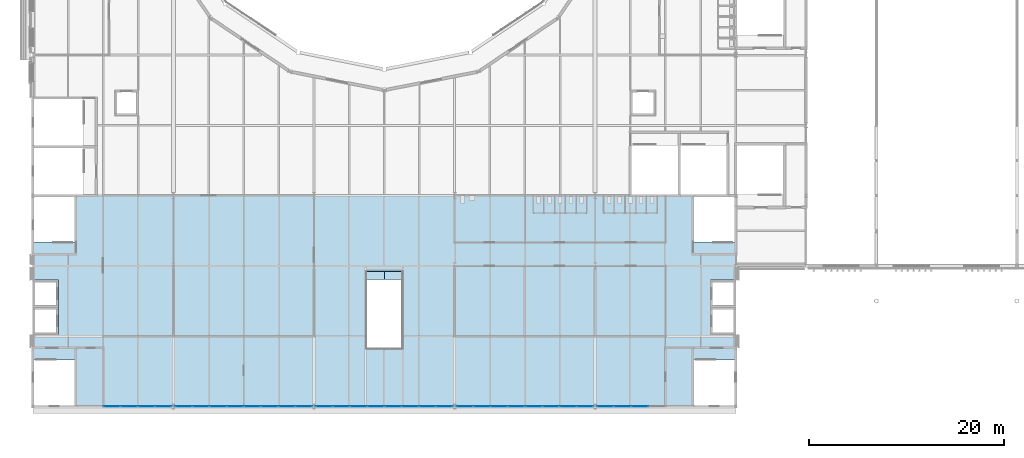
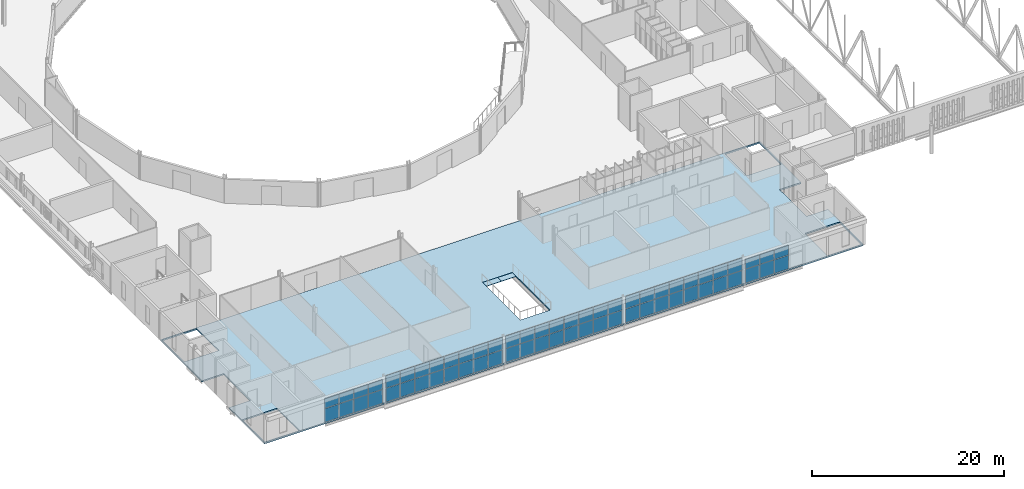
# One storey, part 84 of 142: 64 plates, 1 slab, 8 elements without a shape of their own.
"""IFC4 building model written with IfcOpenShell, lengths in metres."""

from ifc_helpers import new_model, si_unit, direction, frame, origin, origin_2d, place, context, subcontext, project, spatial, polyline, rectangle, outline, extrude, material, layer, layer_set, type_object, element, aggregate, save


model = new_model("IFC4")

# Units and contexts
model_context = context("Model", 3, precision=1e-05, world=origin(), true_north=direction((0.0, 1.0)))
body_context = subcontext(model_context, "Body", "Model", "MODEL_VIEW")
ifc_project = project(units=[si_unit("LENGTHUNIT", "METRE"), si_unit("AREAUNIT", "SQUARE_METRE"), si_unit("VOLUMEUNIT", "CUBIC_METRE"), si_unit("PLANEANGLEUNIT", "RADIAN"), si_unit("MASSUNIT", "GRAM", prefix="KILO")], contexts=[model_context])

# Site, building, storey
site_placement = place(None, origin())
site = spatial("IfcSite", under=ifc_project, at=site_placement, CompositionType="ELEMENT")
building_placement = place(site_placement, origin())
building = spatial("IfcBuilding", under=site, at=building_placement, Name="Kupolbacken Congress Centre", CompositionType="ELEMENT")
storey_placement = place(building_placement, frame((0.0, 0.0, 14.39990234375)))
storey = spatial("IfcBuildingStorey", under=building, at=storey_placement, Name="L04", CompositionType="ELEMENT", Elevation=14.39990234375)

# Plates
ifc_material_1 = material(Name="Steel S355", Category="steel")
ifc_layer_1 = layer(ifc_material_1, 0.0400390625)
ifc_layer_set_1 = layer_set([ifc_layer_1], Name="Steel S355")
plate_type_1 = type_object("IfcPlateType", Name="EP1 escalator comb plate 40", PredefinedType="SHEET", material=ifc_layer_set_1)
plate_1_placement = place(storey_placement, frame((0.0, 0.0, -0.039794921875)))
element("IfcPlate", 1, at=plate_1_placement, inside=storey, type_object=plate_type_1, Name="Escalator comb plate", PredefinedType="SHEET", context=body_context, shape_type="SweptSolid", body=[
    extrude(outline(polyline([(41.39990234375, 41.817626953125), (43.199951171875, 41.817626953125), (43.199951171875, 42.61767578125), (41.39990234375, 42.61767578125), (41.39990234375, 41.817626953125)])), origin(), (0.0, 0.0, 1.0), 0.039794921875),
])
plate_2_placement = place(storey_placement, frame((0.0, 0.0, -0.039794921875)))
element("IfcPlate", 2, at=plate_2_placement, inside=storey, type_object=plate_type_1, Name="Escalator comb plate", PredefinedType="SHEET", context=body_context, shape_type="SweptSolid", body=[
    extrude(outline(polyline([(43.199951171875, 41.817626953125), (45.0, 41.817626953125), (45.0, 42.61767578125), (43.199951171875, 42.61767578125), (43.199951171875, 41.817626953125)])), origin(), (0.0, 0.0, 1.0), 0.039794921875),
])

# Slab
ifc_material_2 = material(Name="Concrete C30/37", Category="concrete")
ifc_layer_2 = layer(ifc_material_2, 0.1201171875)
ifc_material_3 = material(Name="Steel S350 profiled deck", Category="steel")
ifc_layer_3 = layer(ifc_material_3, 0.06005859375)
ifc_layer_set_2 = layer_set([ifc_layer_2, ifc_layer_3], Name="Concrete C30/37 / Steel S350 profiled deck")
slab_type = type_object("IfcSlabType", Name="FS3 slab 180", PredefinedType="FLOOR", material=ifc_layer_set_2)
slab_placement = place(storey_placement, frame((0.0, 0.0, -0.179931640625)))
element("IfcSlab", 3, at=slab_placement, inside=storey, type_object=slab_type, Name="S/floor/F/L04/slab/slab", PredefinedType="FLOOR", context=body_context, shape_type="SweptSolid", body=[
    extrude(outline(polyline([(79.199462890625, 28.800537109375), (79.199462890625, 36.1494140625), (76.599609375, 36.1494140625), (76.599609375, 41.75048828125), (79.199462890625, 41.75048828125), (79.199462890625, 50.3994140625), (7.200439453125, 50.3994140625), (7.200439453125, 41.75048828125), (9.800537109375, 41.75048828125), (9.800537109375, 36.1494140625), (7.200439453125, 36.1494140625), (7.200439453125, 28.800537109375), (79.199462890625, 28.800537109375)]), holes=[polyline([(79.075439453125, 33.54052734375), (79.075439453125, 28.924560546875), (74.924560546875, 28.924560546875), (74.924560546875, 33.54052734375), (79.075439453125, 33.54052734375)]), polyline([(79.075439453125, 45.659423828125), (74.924560546875, 45.659423828125), (74.924560546875, 50.275390625), (79.075439453125, 50.275390625), (79.075439453125, 45.659423828125)]), polyline([(45.00048828125, 34.76171875), (41.3994140625, 34.76171875), (41.3994140625, 42.63818359375), (45.00048828125, 42.63818359375), (45.00048828125, 34.76171875)]), polyline([(7.324462890625, 33.54052734375), (11.4755859375, 33.54052734375), (11.4755859375, 28.924560546875), (7.324462890625, 28.924560546875), (7.324462890625, 33.54052734375)]), polyline([(11.4755859375, 45.659423828125), (7.324462890625, 45.659423828125), (7.324462890625, 50.275390625), (11.4755859375, 50.275390625), (11.4755859375, 45.659423828125)])]), origin(), (0.0, 0.0, 1.0), 0.179931640625),
])

# Curtain wall, plates
ifc_material_4 = material(Name="Aluminium mullion-transom frame with glass", Category="aluminium")
curtain_wall_type = type_object("IfcCurtainWallType", Name="CW1 curtain wall 7200x3600", PredefinedType="NOTDEFINED", material=ifc_material_4)
curtain_wall_1_placement = place(storey_placement, origin())
curtain_wall_1 = element("IfcCurtainWall", 4, at=curtain_wall_1_placement, inside=storey, type_object=curtain_wall_type, Name="E/F/S/L04/413", PredefinedType="NOTDEFINED")
ifc_material_5 = material(Name="Glass", Category="glass")
ifc_layer_4 = layer(ifc_material_5, 0.035888671875)
ifc_layer_set_3 = layer_set([ifc_layer_4], Name="Glass")
plate_type_2 = type_object("IfcPlateType", Name="GL2 glass panel 36", PredefinedType="CURTAIN_PANEL", material=ifc_layer_set_3)
plate_3_placement = place(storey_placement, frame((15.293701171875, 28.800048828125, 0.050048828125), z_axis=(0.0, 0.0, 1.0), x_axis=(1.0, 0.0, 0.0)))
plate_3 = element("IfcPlate", 5, at=plate_3_placement, type_object=plate_type_2, Name="CW1 panel 1.1", PredefinedType="CURTAIN_PANEL", context=body_context, shape_type="SweptSolid", body=[
    extrude(rectangle(XDim=1.6875, YDim=0.035888671875, at=origin_2d()), origin(), (0.0, 0.0, 1.0), 1.72509765625),
])
plate_4_placement = place(storey_placement, frame((15.293701171875, 28.800048828125, 1.824951171875), z_axis=(0.0, 0.0, 1.0), x_axis=(1.0, 0.0, 0.0)))
plate_4 = element("IfcPlate", 6, at=plate_4_placement, type_object=plate_type_2, Name="CW1 panel 1.2", PredefinedType="CURTAIN_PANEL", context=body_context, shape_type="SweptSolid", body=[
    extrude(rectangle(XDim=1.6875, YDim=0.035888671875, at=origin_2d()), origin(), (0.0, 0.0, 1.0), 1.2451171875),
])
plate_5_placement = place(storey_placement, frame((17.043701171875, 28.800048828125, 0.050048828125), z_axis=(0.0, 0.0, 1.0), x_axis=(1.0, 0.0, 0.0)))
plate_5 = element("IfcPlate", 7, at=plate_5_placement, type_object=plate_type_2, Name="CW1 panel 2.1", PredefinedType="CURTAIN_PANEL", context=body_context, shape_type="SweptSolid", body=[
    extrude(rectangle(XDim=1.71240234375, YDim=0.035888671875, at=origin_2d()), origin(), (0.0, 0.0, 1.0), 1.72509765625),
])
plate_6_placement = place(storey_placement, frame((17.043701171875, 28.800048828125, 1.824951171875), z_axis=(0.0, 0.0, 1.0), x_axis=(1.0, 0.0, 0.0)))
plate_6 = element("IfcPlate", 8, at=plate_6_placement, type_object=plate_type_2, Name="CW1 panel 2.2", PredefinedType="CURTAIN_PANEL", context=body_context, shape_type="SweptSolid", body=[
    extrude(rectangle(XDim=1.71240234375, YDim=0.035888671875, at=origin_2d()), origin(), (0.0, 0.0, 1.0), 1.2451171875),
])
plate_7_placement = place(storey_placement, frame((18.80615234375, 28.800048828125, 0.050048828125), z_axis=(0.0, 0.0, 1.0), x_axis=(1.0, 0.0, 0.0)))
plate_7 = element("IfcPlate", 9, at=plate_7_placement, type_object=plate_type_2, Name="CW1 panel 3.1", PredefinedType="CURTAIN_PANEL", context=body_context, shape_type="SweptSolid", body=[
    extrude(rectangle(XDim=1.71240234375, YDim=0.035888671875, at=origin_2d()), origin(), (0.0, 0.0, 1.0), 1.72509765625),
])
plate_8_placement = place(storey_placement, frame((18.80615234375, 28.800048828125, 1.824951171875), z_axis=(0.0, 0.0, 1.0), x_axis=(1.0, 0.0, 0.0)))
plate_8 = element("IfcPlate", 10, at=plate_8_placement, type_object=plate_type_2, Name="CW1 panel 3.2", PredefinedType="CURTAIN_PANEL", context=body_context, shape_type="SweptSolid", body=[
    extrude(rectangle(XDim=1.71240234375, YDim=0.035888671875, at=origin_2d()), origin(), (0.0, 0.0, 1.0), 1.2451171875),
])
plate_9_placement = place(storey_placement, frame((20.55615234375, 28.800048828125, 0.050048828125), z_axis=(0.0, 0.0, 1.0), x_axis=(1.0, 0.0, 0.0)))
plate_9 = element("IfcPlate", 11, at=plate_9_placement, type_object=plate_type_2, Name="CW1 panel 4.1", PredefinedType="CURTAIN_PANEL", context=body_context, shape_type="SweptSolid", body=[
    extrude(rectangle(XDim=1.6875, YDim=0.035888671875, at=origin_2d()), origin(), (0.0, 0.0, 1.0), 1.72509765625),
])
plate_10_placement = place(storey_placement, frame((20.55615234375, 28.800048828125, 1.824951171875), z_axis=(0.0, 0.0, 1.0), x_axis=(1.0, 0.0, 0.0)))
plate_10 = element("IfcPlate", 12, at=plate_10_placement, type_object=plate_type_2, Name="CW1 panel 4.2", PredefinedType="CURTAIN_PANEL", context=body_context, shape_type="SweptSolid", body=[
    extrude(rectangle(XDim=1.6875, YDim=0.035888671875, at=origin_2d()), origin(), (0.0, 0.0, 1.0), 1.2451171875),
])
aggregate(curtain_wall_1, [plate_3, plate_4, plate_5, plate_6, plate_7, plate_8, plate_9, plate_10])

curtain_wall_2_placement = place(storey_placement, origin())
curtain_wall_2 = element("IfcCurtainWall", 13, at=curtain_wall_2_placement, inside=storey, type_object=curtain_wall_type, Name="E/F/S/L04/414", PredefinedType="NOTDEFINED")
plate_11_placement = place(storey_placement, frame((22.643798828125, 28.800048828125, 0.050048828125), z_axis=(0.0, 0.0, 1.0), x_axis=(1.0, 0.0, 0.0)))
plate_11 = element("IfcPlate", 14, at=plate_11_placement, type_object=plate_type_2, Name="CW1 panel 1.1", PredefinedType="CURTAIN_PANEL", context=body_context, shape_type="SweptSolid", body=[
    extrude(rectangle(XDim=1.6875, YDim=0.035888671875, at=origin_2d()), origin(), (0.0, 0.0, 1.0), 1.72509765625),
])
plate_12_placement = place(storey_placement, frame((22.643798828125, 28.800048828125, 1.8251953125), z_axis=(0.0, 0.0, 1.0), x_axis=(1.0, 0.0, 0.0)))
plate_12 = element("IfcPlate", 15, at=plate_12_placement, type_object=plate_type_2, Name="CW1 panel 1.2", PredefinedType="CURTAIN_PANEL", context=body_context, shape_type="SweptSolid", body=[
    extrude(rectangle(XDim=1.6875, YDim=0.035888671875, at=origin_2d()), origin(), (0.0, 0.0, 1.0), 1.544921875),
])
plate_13_placement = place(storey_placement, frame((24.393798828125, 28.800048828125, 0.050048828125), z_axis=(0.0, 0.0, 1.0), x_axis=(1.0, 0.0, 0.0)))
plate_13 = element("IfcPlate", 16, at=plate_13_placement, type_object=plate_type_2, Name="CW1 panel 2.1", PredefinedType="CURTAIN_PANEL", context=body_context, shape_type="SweptSolid", body=[
    extrude(rectangle(XDim=1.71240234375, YDim=0.035888671875, at=origin_2d()), origin(), (0.0, 0.0, 1.0), 1.72509765625),
])
plate_14_placement = place(storey_placement, frame((24.393798828125, 28.800048828125, 1.8251953125), z_axis=(0.0, 0.0, 1.0), x_axis=(1.0, 0.0, 0.0)))
plate_14 = element("IfcPlate", 17, at=plate_14_placement, type_object=plate_type_2, Name="CW1 panel 2.2", PredefinedType="CURTAIN_PANEL", context=body_context, shape_type="SweptSolid", body=[
    extrude(rectangle(XDim=1.71240234375, YDim=0.035888671875, at=origin_2d()), origin(), (0.0, 0.0, 1.0), 1.544921875),
])
plate_15_placement = place(storey_placement, frame((26.15625, 28.800048828125, 0.050048828125), z_axis=(0.0, 0.0, 1.0), x_axis=(1.0, 0.0, 0.0)))
plate_15 = element("IfcPlate", 18, at=plate_15_placement, type_object=plate_type_2, Name="CW1 panel 3.1", PredefinedType="CURTAIN_PANEL", context=body_context, shape_type="SweptSolid", body=[
    extrude(rectangle(XDim=1.71240234375, YDim=0.035888671875, at=origin_2d()), origin(), (0.0, 0.0, 1.0), 1.72509765625),
])
plate_16_placement = place(storey_placement, frame((26.15625, 28.800048828125, 1.8251953125), z_axis=(0.0, 0.0, 1.0), x_axis=(1.0, 0.0, 0.0)))
plate_16 = element("IfcPlate", 19, at=plate_16_placement, type_object=plate_type_2, Name="CW1 panel 3.2", PredefinedType="CURTAIN_PANEL", context=body_context, shape_type="SweptSolid", body=[
    extrude(rectangle(XDim=1.71240234375, YDim=0.035888671875, at=origin_2d()), origin(), (0.0, 0.0, 1.0), 1.544921875),
])
plate_17_placement = place(storey_placement, frame((27.90625, 28.800048828125, 0.050048828125), z_axis=(0.0, 0.0, 1.0), x_axis=(1.0, 0.0, 0.0)))
plate_17 = element("IfcPlate", 20, at=plate_17_placement, type_object=plate_type_2, Name="CW1 panel 4.1", PredefinedType="CURTAIN_PANEL", context=body_context, shape_type="SweptSolid", body=[
    extrude(rectangle(XDim=1.6875, YDim=0.035888671875, at=origin_2d()), origin(), (0.0, 0.0, 1.0), 1.72509765625),
])
plate_18_placement = place(storey_placement, frame((27.90625, 28.800048828125, 1.8251953125), z_axis=(0.0, 0.0, 1.0), x_axis=(1.0, 0.0, 0.0)))
plate_18 = element("IfcPlate", 21, at=plate_18_placement, type_object=plate_type_2, Name="CW1 panel 4.2", PredefinedType="CURTAIN_PANEL", context=body_context, shape_type="SweptSolid", body=[
    extrude(rectangle(XDim=1.6875, YDim=0.035888671875, at=origin_2d()), origin(), (0.0, 0.0, 1.0), 1.544921875),
])
aggregate(curtain_wall_2, [plate_11, plate_12, plate_13, plate_14, plate_15, plate_16, plate_17, plate_18])

curtain_wall_3_placement = place(storey_placement, origin())
curtain_wall_3 = element("IfcCurtainWall", 22, at=curtain_wall_3_placement, inside=storey, type_object=curtain_wall_type, Name="E/F/S/L04/415", PredefinedType="NOTDEFINED")
plate_19_placement = place(storey_placement, frame((29.69384765625, 28.800048828125, 0.050048828125), z_axis=(0.0, 0.0, 1.0), x_axis=(1.0, 0.0, 0.0)))
plate_19 = element("IfcPlate", 23, at=plate_19_placement, type_object=plate_type_2, Name="CW1 panel 1.1", PredefinedType="CURTAIN_PANEL", context=body_context, shape_type="SweptSolid", body=[
    extrude(rectangle(XDim=1.6875, YDim=0.035888671875, at=origin_2d()), origin(), (0.0, 0.0, 1.0), 1.72509765625),
])
plate_20_placement = place(storey_placement, frame((29.69384765625, 28.800048828125, 1.8251953125), z_axis=(0.0, 0.0, 1.0), x_axis=(1.0, 0.0, 0.0)))
plate_20 = element("IfcPlate", 24, at=plate_20_placement, type_object=plate_type_2, Name="CW1 panel 1.2", PredefinedType="CURTAIN_PANEL", context=body_context, shape_type="SweptSolid", body=[
    extrude(rectangle(XDim=1.6875, YDim=0.035888671875, at=origin_2d()), origin(), (0.0, 0.0, 1.0), 1.544921875),
])
plate_21_placement = place(storey_placement, frame((31.44384765625, 28.800048828125, 0.050048828125), z_axis=(0.0, 0.0, 1.0), x_axis=(1.0, 0.0, 0.0)))
plate_21 = element("IfcPlate", 25, at=plate_21_placement, type_object=plate_type_2, Name="CW1 panel 2.1", PredefinedType="CURTAIN_PANEL", context=body_context, shape_type="SweptSolid", body=[
    extrude(rectangle(XDim=1.71240234375, YDim=0.035888671875, at=origin_2d()), origin(), (0.0, 0.0, 1.0), 1.72509765625),
])
plate_22_placement = place(storey_placement, frame((31.44384765625, 28.800048828125, 1.8251953125), z_axis=(0.0, 0.0, 1.0), x_axis=(1.0, 0.0, 0.0)))
plate_22 = element("IfcPlate", 26, at=plate_22_placement, type_object=plate_type_2, Name="CW1 panel 2.2", PredefinedType="CURTAIN_PANEL", context=body_context, shape_type="SweptSolid", body=[
    extrude(rectangle(XDim=1.71240234375, YDim=0.035888671875, at=origin_2d()), origin(), (0.0, 0.0, 1.0), 1.544921875),
])
plate_23_placement = place(storey_placement, frame((33.206298828125, 28.800048828125, 0.050048828125), z_axis=(0.0, 0.0, 1.0), x_axis=(1.0, 0.0, 0.0)))
plate_23 = element("IfcPlate", 27, at=plate_23_placement, type_object=plate_type_2, Name="CW1 panel 3.1", PredefinedType="CURTAIN_PANEL", context=body_context, shape_type="SweptSolid", body=[
    extrude(rectangle(XDim=1.71240234375, YDim=0.035888671875, at=origin_2d()), origin(), (0.0, 0.0, 1.0), 1.72509765625),
])
plate_24_placement = place(storey_placement, frame((33.206298828125, 28.800048828125, 1.8251953125), z_axis=(0.0, 0.0, 1.0), x_axis=(1.0, 0.0, 0.0)))
plate_24 = element("IfcPlate", 28, at=plate_24_placement, type_object=plate_type_2, Name="CW1 panel 3.2", PredefinedType="CURTAIN_PANEL", context=body_context, shape_type="SweptSolid", body=[
    extrude(rectangle(XDim=1.71240234375, YDim=0.035888671875, at=origin_2d()), origin(), (0.0, 0.0, 1.0), 1.544921875),
])
plate_25_placement = place(storey_placement, frame((34.956298828125, 28.800048828125, 0.050048828125), z_axis=(0.0, 0.0, 1.0), x_axis=(1.0, 0.0, 0.0)))
plate_25 = element("IfcPlate", 29, at=plate_25_placement, type_object=plate_type_2, Name="CW1 panel 4.1", PredefinedType="CURTAIN_PANEL", context=body_context, shape_type="SweptSolid", body=[
    extrude(rectangle(XDim=1.6875, YDim=0.035888671875, at=origin_2d()), origin(), (0.0, 0.0, 1.0), 1.72509765625),
])
plate_26_placement = place(storey_placement, frame((34.956298828125, 28.800048828125, 1.8251953125), z_axis=(0.0, 0.0, 1.0), x_axis=(1.0, 0.0, 0.0)))
plate_26 = element("IfcPlate", 30, at=plate_26_placement, type_object=plate_type_2, Name="CW1 panel 4.2", PredefinedType="CURTAIN_PANEL", context=body_context, shape_type="SweptSolid", body=[
    extrude(rectangle(XDim=1.6875, YDim=0.035888671875, at=origin_2d()), origin(), (0.0, 0.0, 1.0), 1.544921875),
])
aggregate(curtain_wall_3, [plate_19, plate_20, plate_21, plate_22, plate_23, plate_24, plate_25, plate_26])

curtain_wall_4_placement = place(storey_placement, origin())
curtain_wall_4 = element("IfcCurtainWall", 31, at=curtain_wall_4_placement, inside=storey, type_object=curtain_wall_type, Name="E/F/S/L04/416", PredefinedType="NOTDEFINED")
plate_27_placement = place(storey_placement, frame((37.043701171875, 28.800048828125, 0.050048828125), z_axis=(0.0, 0.0, 1.0), x_axis=(1.0, 0.0, 0.0)))
plate_27 = element("IfcPlate", 32, at=plate_27_placement, type_object=plate_type_2, Name="CW1 panel 1.1", PredefinedType="CURTAIN_PANEL", context=body_context, shape_type="SweptSolid", body=[
    extrude(rectangle(XDim=1.6875, YDim=0.035888671875, at=origin_2d()), origin(), (0.0, 0.0, 1.0), 1.72509765625),
])
plate_28_placement = place(storey_placement, frame((37.043701171875, 28.800048828125, 1.8251953125), z_axis=(0.0, 0.0, 1.0), x_axis=(1.0, 0.0, 0.0)))
plate_28 = element("IfcPlate", 33, at=plate_28_placement, type_object=plate_type_2, Name="CW1 panel 1.2", PredefinedType="CURTAIN_PANEL", context=body_context, shape_type="SweptSolid", body=[
    extrude(rectangle(XDim=1.6875, YDim=0.035888671875, at=origin_2d()), origin(), (0.0, 0.0, 1.0), 1.544921875),
])
plate_29_placement = place(storey_placement, frame((38.793701171875, 28.800048828125, 0.050048828125), z_axis=(0.0, 0.0, 1.0), x_axis=(1.0, 0.0, 0.0)))
plate_29 = element("IfcPlate", 34, at=plate_29_placement, type_object=plate_type_2, Name="CW1 panel 2.1", PredefinedType="CURTAIN_PANEL", context=body_context, shape_type="SweptSolid", body=[
    extrude(rectangle(XDim=1.71240234375, YDim=0.035888671875, at=origin_2d()), origin(), (0.0, 0.0, 1.0), 1.72509765625),
])
plate_30_placement = place(storey_placement, frame((38.793701171875, 28.800048828125, 1.8251953125), z_axis=(0.0, 0.0, 1.0), x_axis=(1.0, 0.0, 0.0)))
plate_30 = element("IfcPlate", 35, at=plate_30_placement, type_object=plate_type_2, Name="CW1 panel 2.2", PredefinedType="CURTAIN_PANEL", context=body_context, shape_type="SweptSolid", body=[
    extrude(rectangle(XDim=1.71240234375, YDim=0.035888671875, at=origin_2d()), origin(), (0.0, 0.0, 1.0), 1.544921875),
])
plate_31_placement = place(storey_placement, frame((40.55615234375, 28.800048828125, 0.050048828125), z_axis=(0.0, 0.0, 1.0), x_axis=(1.0, 0.0, 0.0)))
plate_31 = element("IfcPlate", 36, at=plate_31_placement, type_object=plate_type_2, Name="CW1 panel 3.1", PredefinedType="CURTAIN_PANEL", context=body_context, shape_type="SweptSolid", body=[
    extrude(rectangle(XDim=1.71240234375, YDim=0.035888671875, at=origin_2d()), origin(), (0.0, 0.0, 1.0), 1.72509765625),
])
plate_32_placement = place(storey_placement, frame((40.55615234375, 28.800048828125, 1.8251953125), z_axis=(0.0, 0.0, 1.0), x_axis=(1.0, 0.0, 0.0)))
plate_32 = element("IfcPlate", 37, at=plate_32_placement, type_object=plate_type_2, Name="CW1 panel 3.2", PredefinedType="CURTAIN_PANEL", context=body_context, shape_type="SweptSolid", body=[
    extrude(rectangle(XDim=1.71240234375, YDim=0.035888671875, at=origin_2d()), origin(), (0.0, 0.0, 1.0), 1.544921875),
])
plate_33_placement = place(storey_placement, frame((42.30615234375, 28.800048828125, 0.050048828125), z_axis=(0.0, 0.0, 1.0), x_axis=(1.0, 0.0, 0.0)))
plate_33 = element("IfcPlate", 38, at=plate_33_placement, type_object=plate_type_2, Name="CW1 panel 4.1", PredefinedType="CURTAIN_PANEL", context=body_context, shape_type="SweptSolid", body=[
    extrude(rectangle(XDim=1.6875, YDim=0.035888671875, at=origin_2d()), origin(), (0.0, 0.0, 1.0), 1.72509765625),
])
plate_34_placement = place(storey_placement, frame((42.30615234375, 28.800048828125, 1.8251953125), z_axis=(0.0, 0.0, 1.0), x_axis=(1.0, 0.0, 0.0)))
plate_34 = element("IfcPlate", 39, at=plate_34_placement, type_object=plate_type_2, Name="CW1 panel 4.2", PredefinedType="CURTAIN_PANEL", context=body_context, shape_type="SweptSolid", body=[
    extrude(rectangle(XDim=1.6875, YDim=0.035888671875, at=origin_2d()), origin(), (0.0, 0.0, 1.0), 1.544921875),
])
aggregate(curtain_wall_4, [plate_27, plate_28, plate_29, plate_30, plate_31, plate_32, plate_33, plate_34])

curtain_wall_5_placement = place(storey_placement, origin())
curtain_wall_5 = element("IfcCurtainWall", 40, at=curtain_wall_5_placement, inside=storey, type_object=curtain_wall_type, Name="E/F/S/L04/417", PredefinedType="NOTDEFINED")
plate_35_placement = place(storey_placement, frame((44.09375, 28.800048828125, 0.050048828125), z_axis=(0.0, 0.0, 1.0), x_axis=(1.0, 0.0, 0.0)))
plate_35 = element("IfcPlate", 41, at=plate_35_placement, type_object=plate_type_2, Name="CW1 panel 1.1", PredefinedType="CURTAIN_PANEL", context=body_context, shape_type="SweptSolid", body=[
    extrude(rectangle(XDim=1.6875, YDim=0.035888671875, at=origin_2d()), origin(), (0.0, 0.0, 1.0), 1.72509765625),
])
plate_36_placement = place(storey_placement, frame((44.09375, 28.800048828125, 1.8251953125), z_axis=(0.0, 0.0, 1.0), x_axis=(1.0, 0.0, 0.0)))
plate_36 = element("IfcPlate", 42, at=plate_36_placement, type_object=plate_type_2, Name="CW1 panel 1.2", PredefinedType="CURTAIN_PANEL", context=body_context, shape_type="SweptSolid", body=[
    extrude(rectangle(XDim=1.6875, YDim=0.035888671875, at=origin_2d()), origin(), (0.0, 0.0, 1.0), 1.544921875),
])
plate_37_placement = place(storey_placement, frame((45.84375, 28.800048828125, 0.050048828125), z_axis=(0.0, 0.0, 1.0), x_axis=(1.0, 0.0, 0.0)))
plate_37 = element("IfcPlate", 43, at=plate_37_placement, type_object=plate_type_2, Name="CW1 panel 2.1", PredefinedType="CURTAIN_PANEL", context=body_context, shape_type="SweptSolid", body=[
    extrude(rectangle(XDim=1.71240234375, YDim=0.035888671875, at=origin_2d()), origin(), (0.0, 0.0, 1.0), 1.72509765625),
])
plate_38_placement = place(storey_placement, frame((45.84375, 28.800048828125, 1.8251953125), z_axis=(0.0, 0.0, 1.0), x_axis=(1.0, 0.0, 0.0)))
plate_38 = element("IfcPlate", 44, at=plate_38_placement, type_object=plate_type_2, Name="CW1 panel 2.2", PredefinedType="CURTAIN_PANEL", context=body_context, shape_type="SweptSolid", body=[
    extrude(rectangle(XDim=1.71240234375, YDim=0.035888671875, at=origin_2d()), origin(), (0.0, 0.0, 1.0), 1.544921875),
])
plate_39_placement = place(storey_placement, frame((47.606201171875, 28.800048828125, 0.050048828125), z_axis=(0.0, 0.0, 1.0), x_axis=(1.0, 0.0, 0.0)))
plate_39 = element("IfcPlate", 45, at=plate_39_placement, type_object=plate_type_2, Name="CW1 panel 3.1", PredefinedType="CURTAIN_PANEL", context=body_context, shape_type="SweptSolid", body=[
    extrude(rectangle(XDim=1.71240234375, YDim=0.035888671875, at=origin_2d()), origin(), (0.0, 0.0, 1.0), 1.72509765625),
])
plate_40_placement = place(storey_placement, frame((47.606201171875, 28.800048828125, 1.8251953125), z_axis=(0.0, 0.0, 1.0), x_axis=(1.0, 0.0, 0.0)))
plate_40 = element("IfcPlate", 46, at=plate_40_placement, type_object=plate_type_2, Name="CW1 panel 3.2", PredefinedType="CURTAIN_PANEL", context=body_context, shape_type="SweptSolid", body=[
    extrude(rectangle(XDim=1.71240234375, YDim=0.035888671875, at=origin_2d()), origin(), (0.0, 0.0, 1.0), 1.544921875),
])
plate_41_placement = place(storey_placement, frame((49.356201171875, 28.800048828125, 0.050048828125), z_axis=(0.0, 0.0, 1.0), x_axis=(1.0, 0.0, 0.0)))
plate_41 = element("IfcPlate", 47, at=plate_41_placement, type_object=plate_type_2, Name="CW1 panel 4.1", PredefinedType="CURTAIN_PANEL", context=body_context, shape_type="SweptSolid", body=[
    extrude(rectangle(XDim=1.6875, YDim=0.035888671875, at=origin_2d()), origin(), (0.0, 0.0, 1.0), 1.72509765625),
])
plate_42_placement = place(storey_placement, frame((49.356201171875, 28.800048828125, 1.8251953125), z_axis=(0.0, 0.0, 1.0), x_axis=(1.0, 0.0, 0.0)))
plate_42 = element("IfcPlate", 48, at=plate_42_placement, type_object=plate_type_2, Name="CW1 panel 4.2", PredefinedType="CURTAIN_PANEL", context=body_context, shape_type="SweptSolid", body=[
    extrude(rectangle(XDim=1.6875, YDim=0.035888671875, at=origin_2d()), origin(), (0.0, 0.0, 1.0), 1.544921875),
])
aggregate(curtain_wall_5, [plate_35, plate_36, plate_37, plate_38, plate_39, plate_40, plate_41, plate_42])

curtain_wall_6_placement = place(storey_placement, origin())
curtain_wall_6 = element("IfcCurtainWall", 49, at=curtain_wall_6_placement, inside=storey, type_object=curtain_wall_type, Name="E/F/S/L04/418", PredefinedType="NOTDEFINED")
plate_43_placement = place(storey_placement, frame((51.44384765625, 28.800048828125, 0.050048828125), z_axis=(0.0, 0.0, 1.0), x_axis=(1.0, 0.0, 0.0)))
plate_43 = element("IfcPlate", 50, at=plate_43_placement, type_object=plate_type_2, Name="CW1 panel 1.1", PredefinedType="CURTAIN_PANEL", context=body_context, shape_type="SweptSolid", body=[
    extrude(rectangle(XDim=1.6875, YDim=0.035888671875, at=origin_2d()), origin(), (0.0, 0.0, 1.0), 1.72509765625),
])
plate_44_placement = place(storey_placement, frame((51.44384765625, 28.800048828125, 1.8251953125), z_axis=(0.0, 0.0, 1.0), x_axis=(1.0, 0.0, 0.0)))
plate_44 = element("IfcPlate", 51, at=plate_44_placement, type_object=plate_type_2, Name="CW1 panel 1.2", PredefinedType="CURTAIN_PANEL", context=body_context, shape_type="SweptSolid", body=[
    extrude(rectangle(XDim=1.6875, YDim=0.035888671875, at=origin_2d()), origin(), (0.0, 0.0, 1.0), 1.544921875),
])
plate_45_placement = place(storey_placement, frame((53.19384765625, 28.800048828125, 0.050048828125), z_axis=(0.0, 0.0, 1.0), x_axis=(1.0, 0.0, 0.0)))
plate_45 = element("IfcPlate", 52, at=plate_45_placement, type_object=plate_type_2, Name="CW1 panel 2.1", PredefinedType="CURTAIN_PANEL", context=body_context, shape_type="SweptSolid", body=[
    extrude(rectangle(XDim=1.71240234375, YDim=0.035888671875, at=origin_2d()), origin(), (0.0, 0.0, 1.0), 1.72509765625),
])
plate_46_placement = place(storey_placement, frame((53.19384765625, 28.800048828125, 1.8251953125), z_axis=(0.0, 0.0, 1.0), x_axis=(1.0, 0.0, 0.0)))
plate_46 = element("IfcPlate", 53, at=plate_46_placement, type_object=plate_type_2, Name="CW1 panel 2.2", PredefinedType="CURTAIN_PANEL", context=body_context, shape_type="SweptSolid", body=[
    extrude(rectangle(XDim=1.71240234375, YDim=0.035888671875, at=origin_2d()), origin(), (0.0, 0.0, 1.0), 1.544921875),
])
plate_47_placement = place(storey_placement, frame((54.956298828125, 28.800048828125, 0.050048828125), z_axis=(0.0, 0.0, 1.0), x_axis=(1.0, 0.0, 0.0)))
plate_47 = element("IfcPlate", 54, at=plate_47_placement, type_object=plate_type_2, Name="CW1 panel 3.1", PredefinedType="CURTAIN_PANEL", context=body_context, shape_type="SweptSolid", body=[
    extrude(rectangle(XDim=1.71240234375, YDim=0.035888671875, at=origin_2d()), origin(), (0.0, 0.0, 1.0), 1.72509765625),
])
plate_48_placement = place(storey_placement, frame((54.956298828125, 28.800048828125, 1.8251953125), z_axis=(0.0, 0.0, 1.0), x_axis=(1.0, 0.0, 0.0)))
plate_48 = element("IfcPlate", 55, at=plate_48_placement, type_object=plate_type_2, Name="CW1 panel 3.2", PredefinedType="CURTAIN_PANEL", context=body_context, shape_type="SweptSolid", body=[
    extrude(rectangle(XDim=1.71240234375, YDim=0.035888671875, at=origin_2d()), origin(), (0.0, 0.0, 1.0), 1.544921875),
])
plate_49_placement = place(storey_placement, frame((56.706298828125, 28.800048828125, 0.050048828125), z_axis=(0.0, 0.0, 1.0), x_axis=(1.0, 0.0, 0.0)))
plate_49 = element("IfcPlate", 56, at=plate_49_placement, type_object=plate_type_2, Name="CW1 panel 4.1", PredefinedType="CURTAIN_PANEL", context=body_context, shape_type="SweptSolid", body=[
    extrude(rectangle(XDim=1.6875, YDim=0.035888671875, at=origin_2d()), origin(), (0.0, 0.0, 1.0), 1.72509765625),
])
plate_50_placement = place(storey_placement, frame((56.706298828125, 28.800048828125, 1.8251953125), z_axis=(0.0, 0.0, 1.0), x_axis=(1.0, 0.0, 0.0)))
plate_50 = element("IfcPlate", 57, at=plate_50_placement, type_object=plate_type_2, Name="CW1 panel 4.2", PredefinedType="CURTAIN_PANEL", context=body_context, shape_type="SweptSolid", body=[
    extrude(rectangle(XDim=1.6875, YDim=0.035888671875, at=origin_2d()), origin(), (0.0, 0.0, 1.0), 1.544921875),
])
aggregate(curtain_wall_6, [plate_43, plate_44, plate_45, plate_46, plate_47, plate_48, plate_49, plate_50])

curtain_wall_7_placement = place(storey_placement, origin())
curtain_wall_7 = element("IfcCurtainWall", 58, at=curtain_wall_7_placement, inside=storey, type_object=curtain_wall_type, Name="E/F/S/L04/419", PredefinedType="NOTDEFINED")
plate_51_placement = place(storey_placement, frame((58.49365234375, 28.800048828125, 0.050048828125), z_axis=(0.0, 0.0, 1.0), x_axis=(1.0, 0.0, 0.0)))
plate_51 = element("IfcPlate", 59, at=plate_51_placement, type_object=plate_type_2, Name="CW1 panel 1.1", PredefinedType="CURTAIN_PANEL", context=body_context, shape_type="SweptSolid", body=[
    extrude(rectangle(XDim=1.6875, YDim=0.035888671875, at=origin_2d()), origin(), (0.0, 0.0, 1.0), 1.72509765625),
])
plate_52_placement = place(storey_placement, frame((58.49365234375, 28.800048828125, 1.8251953125), z_axis=(0.0, 0.0, 1.0), x_axis=(1.0, 0.0, 0.0)))
plate_52 = element("IfcPlate", 60, at=plate_52_placement, type_object=plate_type_2, Name="CW1 panel 1.2", PredefinedType="CURTAIN_PANEL", context=body_context, shape_type="SweptSolid", body=[
    extrude(rectangle(XDim=1.6875, YDim=0.035888671875, at=origin_2d()), origin(), (0.0, 0.0, 1.0), 1.544921875),
])
plate_53_placement = place(storey_placement, frame((60.24365234375, 28.800048828125, 0.050048828125), z_axis=(0.0, 0.0, 1.0), x_axis=(1.0, 0.0, 0.0)))
plate_53 = element("IfcPlate", 61, at=plate_53_placement, type_object=plate_type_2, Name="CW1 panel 2.1", PredefinedType="CURTAIN_PANEL", context=body_context, shape_type="SweptSolid", body=[
    extrude(rectangle(XDim=1.71240234375, YDim=0.035888671875, at=origin_2d()), origin(), (0.0, 0.0, 1.0), 1.72509765625),
])
plate_54_placement = place(storey_placement, frame((60.24365234375, 28.800048828125, 1.8251953125), z_axis=(0.0, 0.0, 1.0), x_axis=(1.0, 0.0, 0.0)))
plate_54 = element("IfcPlate", 62, at=plate_54_placement, type_object=plate_type_2, Name="CW1 panel 2.2", PredefinedType="CURTAIN_PANEL", context=body_context, shape_type="SweptSolid", body=[
    extrude(rectangle(XDim=1.71240234375, YDim=0.035888671875, at=origin_2d()), origin(), (0.0, 0.0, 1.0), 1.544921875),
])
plate_55_placement = place(storey_placement, frame((62.00634765625, 28.800048828125, 0.050048828125), z_axis=(0.0, 0.0, 1.0), x_axis=(1.0, 0.0, 0.0)))
plate_55 = element("IfcPlate", 63, at=plate_55_placement, type_object=plate_type_2, Name="CW1 panel 3.1", PredefinedType="CURTAIN_PANEL", context=body_context, shape_type="SweptSolid", body=[
    extrude(rectangle(XDim=1.71240234375, YDim=0.035888671875, at=origin_2d()), origin(), (0.0, 0.0, 1.0), 1.72509765625),
])
plate_56_placement = place(storey_placement, frame((62.00634765625, 28.800048828125, 1.8251953125), z_axis=(0.0, 0.0, 1.0), x_axis=(1.0, 0.0, 0.0)))
plate_56 = element("IfcPlate", 64, at=plate_56_placement, type_object=plate_type_2, Name="CW1 panel 3.2", PredefinedType="CURTAIN_PANEL", context=body_context, shape_type="SweptSolid", body=[
    extrude(rectangle(XDim=1.71240234375, YDim=0.035888671875, at=origin_2d()), origin(), (0.0, 0.0, 1.0), 1.544921875),
])
plate_57_placement = place(storey_placement, frame((63.75634765625, 28.800048828125, 0.050048828125), z_axis=(0.0, 0.0, 1.0), x_axis=(1.0, 0.0, 0.0)))
plate_57 = element("IfcPlate", 65, at=plate_57_placement, type_object=plate_type_2, Name="CW1 panel 4.1", PredefinedType="CURTAIN_PANEL", context=body_context, shape_type="SweptSolid", body=[
    extrude(rectangle(XDim=1.6875, YDim=0.035888671875, at=origin_2d()), origin(), (0.0, 0.0, 1.0), 1.72509765625),
])
plate_58_placement = place(storey_placement, frame((63.75634765625, 28.800048828125, 1.8251953125), z_axis=(0.0, 0.0, 1.0), x_axis=(1.0, 0.0, 0.0)))
plate_58 = element("IfcPlate", 66, at=plate_58_placement, type_object=plate_type_2, Name="CW1 panel 4.2", PredefinedType="CURTAIN_PANEL", context=body_context, shape_type="SweptSolid", body=[
    extrude(rectangle(XDim=1.6875, YDim=0.035888671875, at=origin_2d()), origin(), (0.0, 0.0, 1.0), 1.544921875),
])
aggregate(curtain_wall_7, [plate_51, plate_52, plate_53, plate_54, plate_55, plate_56, plate_57, plate_58])

curtain_wall_8_placement = place(storey_placement, origin())
curtain_wall_8 = element("IfcCurtainWall", 67, at=curtain_wall_8_placement, inside=storey, type_object=curtain_wall_type, Name="E/F/S/L04/420", PredefinedType="NOTDEFINED")
plate_59_placement = place(storey_placement, frame((65.84375, 28.800048828125, 0.050048828125), z_axis=(0.0, 0.0, 1.0), x_axis=(1.0, 0.0, 0.0)))
plate_59 = element("IfcPlate", 68, at=plate_59_placement, type_object=plate_type_2, Name="CW1 panel 1.1", PredefinedType="CURTAIN_PANEL", context=body_context, shape_type="SweptSolid", body=[
    extrude(rectangle(XDim=1.6875, YDim=0.035888671875, at=origin_2d()), origin(), (0.0, 0.0, 1.0), 1.72509765625),
])
plate_60_placement = place(storey_placement, frame((65.84375, 28.800048828125, 1.824951171875), z_axis=(0.0, 0.0, 1.0), x_axis=(1.0, 0.0, 0.0)))
plate_60 = element("IfcPlate", 69, at=plate_60_placement, type_object=plate_type_2, Name="CW1 panel 1.2", PredefinedType="CURTAIN_PANEL", context=body_context, shape_type="SweptSolid", body=[
    extrude(rectangle(XDim=1.6875, YDim=0.035888671875, at=origin_2d()), origin(), (0.0, 0.0, 1.0), 1.2451171875),
])
plate_61_placement = place(storey_placement, frame((67.59375, 28.800048828125, 0.050048828125), z_axis=(0.0, 0.0, 1.0), x_axis=(1.0, 0.0, 0.0)))
plate_61 = element("IfcPlate", 70, at=plate_61_placement, type_object=plate_type_2, Name="CW1 panel 2.1", PredefinedType="CURTAIN_PANEL", context=body_context, shape_type="SweptSolid", body=[
    extrude(rectangle(XDim=1.71240234375, YDim=0.035888671875, at=origin_2d()), origin(), (0.0, 0.0, 1.0), 1.72509765625),
])
plate_62_placement = place(storey_placement, frame((67.59375, 28.800048828125, 1.824951171875), z_axis=(0.0, 0.0, 1.0), x_axis=(1.0, 0.0, 0.0)))
plate_62 = element("IfcPlate", 71, at=plate_62_placement, type_object=plate_type_2, Name="CW1 panel 2.2", PredefinedType="CURTAIN_PANEL", context=body_context, shape_type="SweptSolid", body=[
    extrude(rectangle(XDim=1.71240234375, YDim=0.035888671875, at=origin_2d()), origin(), (0.0, 0.0, 1.0), 1.2451171875),
])
plate_63_placement = place(storey_placement, frame((69.356201171875, 28.800048828125, 0.050048828125), z_axis=(0.0, 0.0, 1.0), x_axis=(1.0, 0.0, 0.0)))
plate_63 = element("IfcPlate", 72, at=plate_63_placement, type_object=plate_type_2, Name="CW1 panel 3.1", PredefinedType="CURTAIN_PANEL", context=body_context, shape_type="SweptSolid", body=[
    extrude(rectangle(XDim=1.71240234375, YDim=0.035888671875, at=origin_2d()), origin(), (0.0, 0.0, 1.0), 1.72509765625),
])
plate_64_placement = place(storey_placement, frame((69.356201171875, 28.800048828125, 1.824951171875), z_axis=(0.0, 0.0, 1.0), x_axis=(1.0, 0.0, 0.0)))
plate_64 = element("IfcPlate", 73, at=plate_64_placement, type_object=plate_type_2, Name="CW1 panel 3.2", PredefinedType="CURTAIN_PANEL", context=body_context, shape_type="SweptSolid", body=[
    extrude(rectangle(XDim=1.71240234375, YDim=0.035888671875, at=origin_2d()), origin(), (0.0, 0.0, 1.0), 1.2451171875),
])
aggregate(curtain_wall_8, [plate_59, plate_60, plate_61, plate_62, plate_63, plate_64])

save(model, "model.ifc")
